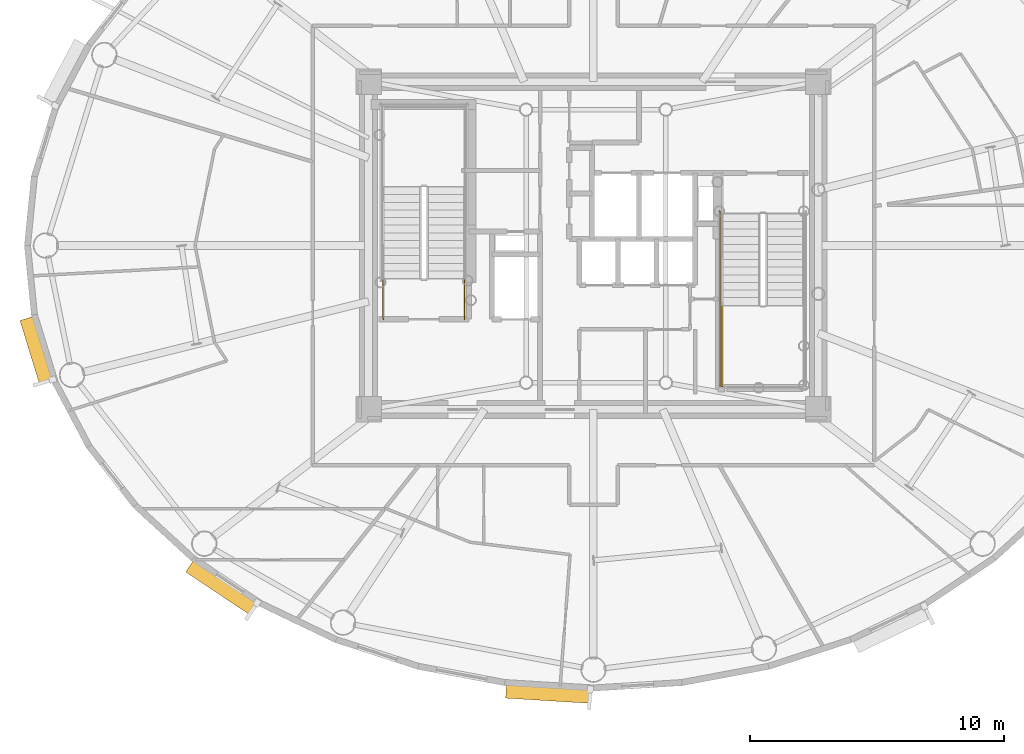
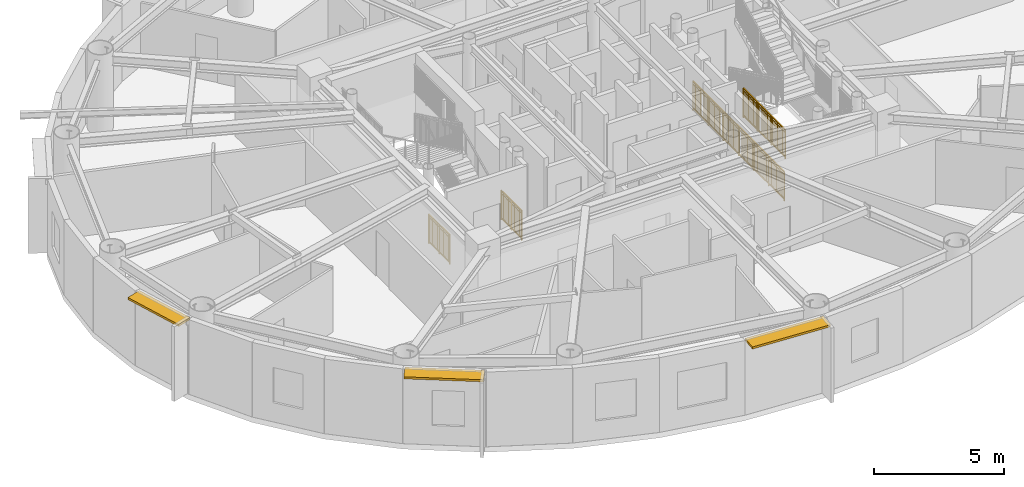
# One storey, part 12 of 18: 4 railings, 3 shading devices.
"""IFC4 building model written with IfcOpenShell, lengths in metres."""

from ifc_helpers import new_model, si_unit, direction, frame, origin, origin_2d, place, context, subcontext, project, spatial, rectangle, extrude, source, transform, mapped, material, layer, layer_set, type_object, element, save


model = new_model("IFC4")

# Units and contexts
model_context = context("Model", 3, precision=1e-05, world=origin(), true_north=direction((0.0, 1.0)))
body_context = subcontext(model_context, "Body", "Model", "MODEL_VIEW")
ifc_project = project(units=[si_unit("LENGTHUNIT", "METRE"), si_unit("AREAUNIT", "SQUARE_METRE"), si_unit("VOLUMEUNIT", "CUBIC_METRE"), si_unit("PLANEANGLEUNIT", "RADIAN"), si_unit("MASSUNIT", "GRAM", prefix="KILO")], contexts=[model_context])

# Site, building, storey
site_placement = place(None, origin())
site = spatial("IfcSite", under=ifc_project, at=site_placement, CompositionType="ELEMENT")
building_placement = place(site_placement, origin())
building = spatial("IfcBuilding", under=site, at=building_placement, Name="Linh Dai School and Residence Tower", CompositionType="ELEMENT")
storey_placement = place(building_placement, frame((0.0, 0.0, 273.0)))
storey = spatial("IfcBuildingStorey", under=building, at=storey_placement, Name="L67", CompositionType="ELEMENT", Elevation=273.0)

# Shading devices
ifc_material_1 = material(Name="Terracotta Ceramic Sunshade", Category="masonry")
ifc_layer = layer(ifc_material_1, 0.10009765625)
ifc_layer_set = layer_set([ifc_layer], Name="Terracotta Ceramic Sunshade")
shading_device_type = type_object("IfcShadingDeviceType", Name="SHD-TC-650", PredefinedType="USERDEFINED", material=ifc_layer_set)
shared_shape_1 = source(origin(), body_context, "Body", "SweptSolid", [
    extrude(rectangle(XDim=2.6640625, YDim=0.64990234375, at=origin_2d()), origin(), (0.0, 0.0, 1.0), 0.10009765625),
])
shading_device_1_placement = place(storey_placement, frame((14.132568359375, 22.870849609375, 3.3798828125), z_axis=(0.0, 0.0, 1.0), x_axis=(-0.293140945944, 0.956069236934, 0.0)))
element("IfcShadingDevice", 1, at=shading_device_1_placement, inside=storey, type_object=shading_device_type, Name="L67 Terracotta Horizontal Sunshade Band 22", ObjectType="SUNSHADE", PredefinedType="USERDEFINED", context=body_context, shape_type="MappedRepresentation", body=[
    mapped(shared_shape_1, transform((0.0, 0.0, 0.0), x_axis=(1.0, 0.0, 0.0), y_axis=(0.0, 1.0, 0.0), z_axis=(0.0, 0.0, 1.0), scale=1.0)),
])
shared_shape_2 = source(origin(), body_context, "Body", "SweptSolid", [
    extrude(rectangle(XDim=3.069091796875, YDim=0.64990234375, at=origin_2d()), origin(), (0.0, 0.0, 1.0), 0.10009765625),
])
shading_device_2_placement = place(storey_placement, frame((21.408203125, 13.5703125, 3.3798828125), z_axis=(0.0, 0.0, 1.0), x_axis=(-0.831245318631, 0.555905765624, 0.0)))
element("IfcShadingDevice", 2, at=shading_device_2_placement, inside=storey, type_object=shading_device_type, Name="L67 Terracotta Horizontal Sunshade Band 26", ObjectType="SUNSHADE", PredefinedType="USERDEFINED", context=body_context, shape_type="MappedRepresentation", body=[
    mapped(shared_shape_2, transform((0.0, 0.0, 0.0), x_axis=(1.0, 0.0, 0.0), y_axis=(0.0, 1.0, 0.0), z_axis=(0.0, 0.0, 1.0), scale=1.0)),
])
shared_shape_3 = source(origin(), body_context, "Body", "SweptSolid", [
    extrude(rectangle(XDim=3.355712890625, YDim=0.64990234375, at=origin_2d()), origin(), (0.0, 0.0, 1.0), 0.10009765625),
])
shading_device_3_placement = place(storey_placement, frame((34.238037109375, 9.407958984375, 3.3798828125), z_axis=(0.0, 0.0, 1.0), x_axis=(-0.998106469364, 0.061509965157, 0.0)))
element("IfcShadingDevice", 3, at=shading_device_3_placement, inside=storey, type_object=shading_device_type, Name="L67 Terracotta Horizontal Sunshade Band 30", ObjectType="SUNSHADE", PredefinedType="USERDEFINED", context=body_context, shape_type="MappedRepresentation", body=[
    mapped(shared_shape_3, transform((0.0, 0.0, 0.0), x_axis=(1.0, 0.0, 0.0), y_axis=(0.0, 1.0, 0.0), z_axis=(0.0, 0.0, 1.0), scale=1.0)),
])

# Railings
ifc_material_2 = material(Name="Structural Steel S355JR", Category="steel")
railing_type = type_object("IfcRailingType", Name="RL-ST-GUARD-1400", PredefinedType="GUARDRAIL", material=ifc_material_2)
shared_shape_4 = source(origin(), body_context, "Body", "SweptSolid", [
    extrude(rectangle(XDim=0.048095703125, YDim=0.048095703125, at=origin_2d()), frame((0.0, 0.0, 1.3759765625), z_axis=(0.0, 1.0, 0.0), x_axis=(-1.0, 0.0, 0.0)), (0.0, 0.0, 1.0), 1.599853515625),
    extrude(rectangle(XDim=0.048095703125, YDim=0.048095703125, at=origin_2d()), frame((0.0, 0.0, 0.10009765625), z_axis=(0.0, 1.0, 0.0), x_axis=(-1.0, 0.0, 0.0)), (0.0, 0.0, 1.0), 1.599853515625),
    extrude(rectangle(XDim=0.030029296875, YDim=0.030029296875, at=origin_2d()), frame((0.0, 0.0, 1.239990234375), z_axis=(0.0, 1.0, 0.0), x_axis=(-1.0, 0.0, 0.0)), (0.0, 0.0, 1.0), 1.599853515625),
    extrude(rectangle(XDim=0.02001953125, YDim=0.02001953125, at=origin_2d()), frame((0.0, 0.093994140625, 0.10009765625)), (0.0, 0.0, 1.0), 1.251708984375),
    extrude(rectangle(XDim=0.02001953125, YDim=0.02001953125, at=origin_2d()), frame((0.0, 0.188232421875, 0.10009765625)), (0.0, 0.0, 1.0), 1.251708984375),
    extrude(rectangle(XDim=0.02001953125, YDim=0.02001953125, at=origin_2d()), frame((0.0, 0.2822265625, 0.10009765625)), (0.0, 0.0, 1.0), 1.251708984375),
    extrude(rectangle(XDim=0.02001953125, YDim=0.02001953125, at=origin_2d()), frame((0.0, 0.37646484375, 0.10009765625)), (0.0, 0.0, 1.0), 1.251708984375),
    extrude(rectangle(XDim=0.02001953125, YDim=0.02001953125, at=origin_2d()), frame((0.0, 0.470458984375, 0.10009765625)), (0.0, 0.0, 1.0), 1.251708984375),
    extrude(rectangle(XDim=0.02001953125, YDim=0.02001953125, at=origin_2d()), frame((0.0, 0.564697265625, 0.10009765625)), (0.0, 0.0, 1.0), 1.251708984375),
    extrude(rectangle(XDim=0.02001953125, YDim=0.02001953125, at=origin_2d()), frame((0.0, 0.65869140625, 0.10009765625)), (0.0, 0.0, 1.0), 1.251708984375),
    extrude(rectangle(XDim=0.02001953125, YDim=0.02001953125, at=origin_2d()), frame((0.0, 0.7529296875, 0.10009765625)), (0.0, 0.0, 1.0), 1.251708984375),
    extrude(rectangle(XDim=0.02001953125, YDim=0.02001953125, at=origin_2d()), frame((0.0, 0.846923828125, 0.10009765625)), (0.0, 0.0, 1.0), 1.251708984375),
    extrude(rectangle(XDim=0.02001953125, YDim=0.02001953125, at=origin_2d()), frame((0.0, 0.941162109375, 0.10009765625)), (0.0, 0.0, 1.0), 1.251708984375),
    extrude(rectangle(XDim=0.02001953125, YDim=0.02001953125, at=origin_2d()), frame((0.0, 1.03515625, 0.10009765625)), (0.0, 0.0, 1.0), 1.251708984375),
    extrude(rectangle(XDim=0.02001953125, YDim=0.02001953125, at=origin_2d()), frame((0.0, 1.12939453125, 0.10009765625)), (0.0, 0.0, 1.0), 1.251708984375),
    extrude(rectangle(XDim=0.02001953125, YDim=0.02001953125, at=origin_2d()), frame((0.0, 1.223388671875, 0.10009765625)), (0.0, 0.0, 1.0), 1.251708984375),
    extrude(rectangle(XDim=0.02001953125, YDim=0.02001953125, at=origin_2d()), frame((0.0, 1.317626953125, 0.10009765625)), (0.0, 0.0, 1.0), 1.251708984375),
    extrude(rectangle(XDim=0.02001953125, YDim=0.02001953125, at=origin_2d()), frame((0.0, 1.41162109375, 0.10009765625)), (0.0, 0.0, 1.0), 1.251708984375),
    extrude(rectangle(XDim=0.02001953125, YDim=0.02001953125, at=origin_2d()), frame((0.0, 1.505859375, 0.10009765625)), (0.0, 0.0, 1.0), 1.251708984375),
    extrude(rectangle(XDim=0.0419921875, YDim=0.0419921875, at=origin_2d()), origin(), (0.0, 0.0, 1.0), 1.3759765625),
    extrude(rectangle(XDim=0.0419921875, YDim=0.0419921875, at=origin_2d()), frame((0.0, 0.7998046875, 0.0)), (0.0, 0.0, 1.0), 1.3759765625),
    extrude(rectangle(XDim=0.0419921875, YDim=0.0419921875, at=origin_2d()), frame((0.0, 1.599853515625, 0.0)), (0.0, 0.0, 1.0), 1.3759765625),
])
for number, where, name in (
    (4, (30.929931640625, 24.10009765625, 0.0), "L67 ST1 stair guard 8"),
    (5, (27.72998046875, 24.10009765625, 0.0), "L67 ST1 stair guard 9"),
):
    element("IfcRailing", number, at=place(storey_placement, frame(where)), inside=storey, type_object=railing_type, Name=name, PredefinedType="GUARDRAIL", context=body_context, shape_type="MappedRepresentation", body=[
        mapped(shared_shape_4, transform((0.0, 0.0, 0.0), x_axis=(1.0, 0.0, 0.0), y_axis=(0.0, 1.0, 0.0), z_axis=(0.0, 0.0, 1.0), scale=1.0)),
    ])
shared_shape_5 = source(origin(), body_context, "Body", "SweptSolid", [
    extrude(rectangle(XDim=0.048095703125, YDim=0.048095703125, at=origin_2d()), frame((0.0, 0.0, 1.3759765625), z_axis=(0.0, -1.0, 0.0), x_axis=(1.0, 0.0, 0.0)), (0.0, 0.0, 1.0), 7.0),
    extrude(rectangle(XDim=0.048095703125, YDim=0.048095703125, at=origin_2d()), frame((0.0, 0.0, 0.10009765625), z_axis=(0.0, -1.0, 0.0), x_axis=(1.0, 0.0, 0.0)), (0.0, 0.0, 1.0), 7.0),
    extrude(rectangle(XDim=0.030029296875, YDim=0.030029296875, at=origin_2d()), frame((0.0, 0.0, 1.239990234375), z_axis=(0.0, -1.0, 0.0), x_axis=(1.0, 0.0, 0.0)), (0.0, 0.0, 1.0), 7.0),
    extrude(rectangle(XDim=0.02001953125, YDim=0.02001953125, at=origin_2d()), frame((0.0, -0.09716796875, 0.10009765625)), (0.0, 0.0, 1.0), 1.251708984375),
    extrude(rectangle(XDim=0.02001953125, YDim=0.02001953125, at=origin_2d()), frame((0.0, -0.1943359375, 0.10009765625)), (0.0, 0.0, 1.0), 1.251708984375),
    extrude(rectangle(XDim=0.02001953125, YDim=0.02001953125, at=origin_2d()), frame((0.0, -0.291748046875, 0.10009765625)), (0.0, 0.0, 1.0), 1.251708984375),
    extrude(rectangle(XDim=0.02001953125, YDim=0.02001953125, at=origin_2d()), frame((0.0, -0.388916015625, 0.10009765625)), (0.0, 0.0, 1.0), 1.251708984375),
    extrude(rectangle(XDim=0.02001953125, YDim=0.02001953125, at=origin_2d()), frame((0.0, -0.486083984375, 0.10009765625)), (0.0, 0.0, 1.0), 1.251708984375),
    extrude(rectangle(XDim=0.02001953125, YDim=0.02001953125, at=origin_2d()), frame((0.0, -0.583251953125, 0.10009765625)), (0.0, 0.0, 1.0), 1.251708984375),
    extrude(rectangle(XDim=0.02001953125, YDim=0.02001953125, at=origin_2d()), frame((0.0, -0.6806640625, 0.10009765625)), (0.0, 0.0, 1.0), 1.251708984375),
    extrude(rectangle(XDim=0.02001953125, YDim=0.02001953125, at=origin_2d()), frame((0.0, -0.77783203125, 0.10009765625)), (0.0, 0.0, 1.0), 1.251708984375),
    extrude(rectangle(XDim=0.02001953125, YDim=0.02001953125, at=origin_2d()), frame((0.0, -0.875, 0.10009765625)), (0.0, 0.0, 1.0), 1.251708984375),
    extrude(rectangle(XDim=0.02001953125, YDim=0.02001953125, at=origin_2d()), frame((0.0, -0.97216796875, 0.10009765625)), (0.0, 0.0, 1.0), 1.251708984375),
    extrude(rectangle(XDim=0.02001953125, YDim=0.02001953125, at=origin_2d()), frame((0.0, -1.0693359375, 0.10009765625)), (0.0, 0.0, 1.0), 1.251708984375),
    extrude(rectangle(XDim=0.02001953125, YDim=0.02001953125, at=origin_2d()), frame((0.0, -1.263916015625, 0.10009765625)), (0.0, 0.0, 1.0), 1.251708984375),
    extrude(rectangle(XDim=0.02001953125, YDim=0.02001953125, at=origin_2d()), frame((0.0, -1.361083984375, 0.10009765625)), (0.0, 0.0, 1.0), 1.251708984375),
    extrude(rectangle(XDim=0.02001953125, YDim=0.02001953125, at=origin_2d()), frame((0.0, -1.458251953125, 0.10009765625)), (0.0, 0.0, 1.0), 1.251708984375),
    extrude(rectangle(XDim=0.02001953125, YDim=0.02001953125, at=origin_2d()), frame((0.0, -1.5556640625, 0.10009765625)), (0.0, 0.0, 1.0), 1.251708984375),
    extrude(rectangle(XDim=0.02001953125, YDim=0.02001953125, at=origin_2d()), frame((0.0, -1.65283203125, 0.10009765625)), (0.0, 0.0, 1.0), 1.251708984375),
    extrude(rectangle(XDim=0.02001953125, YDim=0.02001953125, at=origin_2d()), frame((0.0, -1.75, 0.10009765625)), (0.0, 0.0, 1.0), 1.251708984375),
    extrude(rectangle(XDim=0.02001953125, YDim=0.02001953125, at=origin_2d()), frame((0.0, -1.84716796875, 0.10009765625)), (0.0, 0.0, 1.0), 1.251708984375),
    extrude(rectangle(XDim=0.02001953125, YDim=0.02001953125, at=origin_2d()), frame((0.0, -1.9443359375, 0.10009765625)), (0.0, 0.0, 1.0), 1.251708984375),
    extrude(rectangle(XDim=0.02001953125, YDim=0.02001953125, at=origin_2d()), frame((0.0, -2.041748046875, 0.10009765625)), (0.0, 0.0, 1.0), 1.251708984375),
    extrude(rectangle(XDim=0.02001953125, YDim=0.02001953125, at=origin_2d()), frame((0.0, -2.138916015625, 0.10009765625)), (0.0, 0.0, 1.0), 1.251708984375),
    extrude(rectangle(XDim=0.02001953125, YDim=0.02001953125, at=origin_2d()), frame((0.0, -2.236083984375, 0.10009765625)), (0.0, 0.0, 1.0), 1.251708984375),
    extrude(rectangle(XDim=0.02001953125, YDim=0.02001953125, at=origin_2d()), frame((0.0, -2.4306640625, 0.10009765625)), (0.0, 0.0, 1.0), 1.251708984375),
    extrude(rectangle(XDim=0.02001953125, YDim=0.02001953125, at=origin_2d()), frame((0.0, -2.52783203125, 0.10009765625)), (0.0, 0.0, 1.0), 1.251708984375),
    extrude(rectangle(XDim=0.02001953125, YDim=0.02001953125, at=origin_2d()), frame((0.0, -2.625, 0.10009765625)), (0.0, 0.0, 1.0), 1.251708984375),
    extrude(rectangle(XDim=0.02001953125, YDim=0.02001953125, at=origin_2d()), frame((0.0, -2.72216796875, 0.10009765625)), (0.0, 0.0, 1.0), 1.251708984375),
    extrude(rectangle(XDim=0.02001953125, YDim=0.02001953125, at=origin_2d()), frame((0.0, -2.8193359375, 0.10009765625)), (0.0, 0.0, 1.0), 1.251708984375),
    extrude(rectangle(XDim=0.02001953125, YDim=0.02001953125, at=origin_2d()), frame((0.0, -2.916748046875, 0.10009765625)), (0.0, 0.0, 1.0), 1.251708984375),
    extrude(rectangle(XDim=0.02001953125, YDim=0.02001953125, at=origin_2d()), frame((0.0, -3.013916015625, 0.10009765625)), (0.0, 0.0, 1.0), 1.251708984375),
    extrude(rectangle(XDim=0.02001953125, YDim=0.02001953125, at=origin_2d()), frame((0.0, -3.111083984375, 0.10009765625)), (0.0, 0.0, 1.0), 1.251708984375),
    extrude(rectangle(XDim=0.02001953125, YDim=0.02001953125, at=origin_2d()), frame((0.0, -3.208251953125, 0.10009765625)), (0.0, 0.0, 1.0), 1.251708984375),
    extrude(rectangle(XDim=0.02001953125, YDim=0.02001953125, at=origin_2d()), frame((0.0, -3.3056640625, 0.10009765625)), (0.0, 0.0, 1.0), 1.251708984375),
    extrude(rectangle(XDim=0.02001953125, YDim=0.02001953125, at=origin_2d()), frame((0.0, -3.40283203125, 0.10009765625)), (0.0, 0.0, 1.0), 1.251708984375),
    extrude(rectangle(XDim=0.02001953125, YDim=0.02001953125, at=origin_2d()), frame((0.0, -3.59716796875, 0.10009765625)), (0.0, 0.0, 1.0), 1.251708984375),
    extrude(rectangle(XDim=0.02001953125, YDim=0.02001953125, at=origin_2d()), frame((0.0, -3.6943359375, 0.10009765625)), (0.0, 0.0, 1.0), 1.251708984375),
    extrude(rectangle(XDim=0.02001953125, YDim=0.02001953125, at=origin_2d()), frame((0.0, -3.791748046875, 0.10009765625)), (0.0, 0.0, 1.0), 1.251708984375),
    extrude(rectangle(XDim=0.02001953125, YDim=0.02001953125, at=origin_2d()), frame((0.0, -3.888916015625, 0.10009765625)), (0.0, 0.0, 1.0), 1.251708984375),
    extrude(rectangle(XDim=0.02001953125, YDim=0.02001953125, at=origin_2d()), frame((0.0, -3.986083984375, 0.10009765625)), (0.0, 0.0, 1.0), 1.251708984375),
    extrude(rectangle(XDim=0.02001953125, YDim=0.02001953125, at=origin_2d()), frame((0.0, -4.083251953125, 0.10009765625)), (0.0, 0.0, 1.0), 1.251708984375),
    extrude(rectangle(XDim=0.02001953125, YDim=0.02001953125, at=origin_2d()), frame((0.0, -4.1806640625, 0.10009765625)), (0.0, 0.0, 1.0), 1.251708984375),
    extrude(rectangle(XDim=0.02001953125, YDim=0.02001953125, at=origin_2d()), frame((0.0, -4.27783203125, 0.10009765625)), (0.0, 0.0, 1.0), 1.251708984375),
    extrude(rectangle(XDim=0.02001953125, YDim=0.02001953125, at=origin_2d()), frame((0.0, -4.375, 0.10009765625)), (0.0, 0.0, 1.0), 1.251708984375),
    extrude(rectangle(XDim=0.02001953125, YDim=0.02001953125, at=origin_2d()), frame((0.0, -4.47216796875, 0.10009765625)), (0.0, 0.0, 1.0), 1.251708984375),
    extrude(rectangle(XDim=0.02001953125, YDim=0.02001953125, at=origin_2d()), frame((0.0, -4.5693359375, 0.10009765625)), (0.0, 0.0, 1.0), 1.251708984375),
    extrude(rectangle(XDim=0.02001953125, YDim=0.02001953125, at=origin_2d()), frame((0.0, -4.763916015625, 0.10009765625)), (0.0, 0.0, 1.0), 1.251708984375),
    extrude(rectangle(XDim=0.02001953125, YDim=0.02001953125, at=origin_2d()), frame((0.0, -4.861083984375, 0.10009765625)), (0.0, 0.0, 1.0), 1.251708984375),
    extrude(rectangle(XDim=0.02001953125, YDim=0.02001953125, at=origin_2d()), frame((0.0, -4.958251953125, 0.10009765625)), (0.0, 0.0, 1.0), 1.251708984375),
    extrude(rectangle(XDim=0.02001953125, YDim=0.02001953125, at=origin_2d()), frame((0.0, -5.0556640625, 0.10009765625)), (0.0, 0.0, 1.0), 1.251708984375),
    extrude(rectangle(XDim=0.02001953125, YDim=0.02001953125, at=origin_2d()), frame((0.0, -5.15283203125, 0.10009765625)), (0.0, 0.0, 1.0), 1.251708984375),
    extrude(rectangle(XDim=0.02001953125, YDim=0.02001953125, at=origin_2d()), frame((0.0, -5.25, 0.10009765625)), (0.0, 0.0, 1.0), 1.251708984375),
    extrude(rectangle(XDim=0.02001953125, YDim=0.02001953125, at=origin_2d()), frame((0.0, -5.34716796875, 0.10009765625)), (0.0, 0.0, 1.0), 1.251708984375),
    extrude(rectangle(XDim=0.02001953125, YDim=0.02001953125, at=origin_2d()), frame((0.0, -5.4443359375, 0.10009765625)), (0.0, 0.0, 1.0), 1.251708984375),
    extrude(rectangle(XDim=0.02001953125, YDim=0.02001953125, at=origin_2d()), frame((0.0, -5.541748046875, 0.10009765625)), (0.0, 0.0, 1.0), 1.251708984375),
    extrude(rectangle(XDim=0.02001953125, YDim=0.02001953125, at=origin_2d()), frame((0.0, -5.638916015625, 0.10009765625)), (0.0, 0.0, 1.0), 1.251708984375),
    extrude(rectangle(XDim=0.02001953125, YDim=0.02001953125, at=origin_2d()), frame((0.0, -5.736083984375, 0.10009765625)), (0.0, 0.0, 1.0), 1.251708984375),
    extrude(rectangle(XDim=0.02001953125, YDim=0.02001953125, at=origin_2d()), frame((0.0, -5.9306640625, 0.10009765625)), (0.0, 0.0, 1.0), 1.251708984375),
    extrude(rectangle(XDim=0.02001953125, YDim=0.02001953125, at=origin_2d()), frame((0.0, -6.02783203125, 0.10009765625)), (0.0, 0.0, 1.0), 1.251708984375),
    extrude(rectangle(XDim=0.02001953125, YDim=0.02001953125, at=origin_2d()), frame((0.0, -6.125, 0.10009765625)), (0.0, 0.0, 1.0), 1.251708984375),
    extrude(rectangle(XDim=0.02001953125, YDim=0.02001953125, at=origin_2d()), frame((0.0, -6.22216796875, 0.10009765625)), (0.0, 0.0, 1.0), 1.251708984375),
    extrude(rectangle(XDim=0.02001953125, YDim=0.02001953125, at=origin_2d()), frame((0.0, -6.3193359375, 0.10009765625)), (0.0, 0.0, 1.0), 1.251708984375),
    extrude(rectangle(XDim=0.02001953125, YDim=0.02001953125, at=origin_2d()), frame((0.0, -6.416748046875, 0.10009765625)), (0.0, 0.0, 1.0), 1.251708984375),
    extrude(rectangle(XDim=0.02001953125, YDim=0.02001953125, at=origin_2d()), frame((0.0, -6.513916015625, 0.10009765625)), (0.0, 0.0, 1.0), 1.251708984375),
    extrude(rectangle(XDim=0.02001953125, YDim=0.02001953125, at=origin_2d()), frame((0.0, -6.611083984375, 0.10009765625)), (0.0, 0.0, 1.0), 1.251708984375),
    extrude(rectangle(XDim=0.02001953125, YDim=0.02001953125, at=origin_2d()), frame((0.0, -6.708251953125, 0.10009765625)), (0.0, 0.0, 1.0), 1.251708984375),
    extrude(rectangle(XDim=0.02001953125, YDim=0.02001953125, at=origin_2d()), frame((0.0, -6.8056640625, 0.10009765625)), (0.0, 0.0, 1.0), 1.251708984375),
    extrude(rectangle(XDim=0.02001953125, YDim=0.02001953125, at=origin_2d()), frame((0.0, -6.90283203125, 0.10009765625)), (0.0, 0.0, 1.0), 1.251708984375),
    extrude(rectangle(XDim=0.0419921875, YDim=0.0419921875, at=origin_2d()), origin(), (0.0, 0.0, 1.0), 1.3759765625),
    extrude(rectangle(XDim=0.0419921875, YDim=0.0419921875, at=origin_2d()), frame((0.0, -1.166748046875, 0.0)), (0.0, 0.0, 1.0), 1.3759765625),
    extrude(rectangle(XDim=0.0419921875, YDim=0.0419921875, at=origin_2d()), frame((0.0, -2.333251953125, 0.0)), (0.0, 0.0, 1.0), 1.3759765625),
    extrude(rectangle(XDim=0.0419921875, YDim=0.0419921875, at=origin_2d()), frame((0.0, -3.5, 0.0)), (0.0, 0.0, 1.0), 1.3759765625),
    extrude(rectangle(XDim=0.0419921875, YDim=0.0419921875, at=origin_2d()), frame((0.0, -4.666748046875, 0.0)), (0.0, 0.0, 1.0), 1.3759765625),
    extrude(rectangle(XDim=0.0419921875, YDim=0.0419921875, at=origin_2d()), frame((0.0, -5.833251953125, 0.0)), (0.0, 0.0, 1.0), 1.3759765625),
    extrude(rectangle(XDim=0.0419921875, YDim=0.0419921875, at=origin_2d()), frame((0.0, -7.0, 0.0)), (0.0, 0.0, 1.0), 1.3759765625),
])
railing_1_placement = place(storey_placement, frame((40.969970703125, 28.35009765625, 0.0)))
element("IfcRailing", 6, at=railing_1_placement, inside=storey, type_object=railing_type, Name="L67 ST2 stair guard 10", PredefinedType="GUARDRAIL", context=body_context, shape_type="MappedRepresentation", body=[
    mapped(shared_shape_5, transform((0.0, 0.0, 0.0), x_axis=(1.0, 0.0, 0.0), y_axis=(0.0, 1.0, 0.0), z_axis=(0.0, 0.0, 1.0), scale=1.0)),
])
shared_shape_6 = source(origin(), body_context, "Body", "SweptSolid", [
    extrude(rectangle(XDim=0.048095703125, YDim=0.048095703125, at=origin_2d()), frame((0.0, 0.0, 1.3759765625), z_axis=(0.0, -1.0, 0.0), x_axis=(1.0, 0.0, 0.0)), (0.0, 0.0, 1.0), 3.199951171875),
    extrude(rectangle(XDim=0.048095703125, YDim=0.048095703125, at=origin_2d()), frame((0.0, 0.0, 0.10009765625), z_axis=(0.0, -1.0, 0.0), x_axis=(1.0, 0.0, 0.0)), (0.0, 0.0, 1.0), 3.199951171875),
    extrude(rectangle(XDim=0.030029296875, YDim=0.030029296875, at=origin_2d()), frame((0.0, 0.0, 1.239990234375), z_axis=(0.0, -1.0, 0.0), x_axis=(1.0, 0.0, 0.0)), (0.0, 0.0, 1.0), 3.199951171875),
    extrude(rectangle(XDim=0.02001953125, YDim=0.02001953125, at=origin_2d()), frame((0.0, -0.096923828125, 0.10009765625)), (0.0, 0.0, 1.0), 1.251708984375),
    extrude(rectangle(XDim=0.02001953125, YDim=0.02001953125, at=origin_2d()), frame((0.0, -0.19384765625, 0.10009765625)), (0.0, 0.0, 1.0), 1.251708984375),
    extrude(rectangle(XDim=0.02001953125, YDim=0.02001953125, at=origin_2d()), frame((0.0, -0.291015625, 0.10009765625)), (0.0, 0.0, 1.0), 1.251708984375),
    extrude(rectangle(XDim=0.02001953125, YDim=0.02001953125, at=origin_2d()), frame((0.0, -0.387939453125, 0.10009765625)), (0.0, 0.0, 1.0), 1.251708984375),
    extrude(rectangle(XDim=0.02001953125, YDim=0.02001953125, at=origin_2d()), frame((0.0, -0.48486328125, 0.10009765625)), (0.0, 0.0, 1.0), 1.251708984375),
    extrude(rectangle(XDim=0.02001953125, YDim=0.02001953125, at=origin_2d()), frame((0.0, -0.581787109375, 0.10009765625)), (0.0, 0.0, 1.0), 1.251708984375),
    extrude(rectangle(XDim=0.02001953125, YDim=0.02001953125, at=origin_2d()), frame((0.0, -0.6787109375, 0.10009765625)), (0.0, 0.0, 1.0), 1.251708984375),
    extrude(rectangle(XDim=0.02001953125, YDim=0.02001953125, at=origin_2d()), frame((0.0, -0.775634765625, 0.10009765625)), (0.0, 0.0, 1.0), 1.251708984375),
    extrude(rectangle(XDim=0.02001953125, YDim=0.02001953125, at=origin_2d()), frame((0.0, -0.872802734375, 0.10009765625)), (0.0, 0.0, 1.0), 1.251708984375),
    extrude(rectangle(XDim=0.02001953125, YDim=0.02001953125, at=origin_2d()), frame((0.0, -0.9697265625, 0.10009765625)), (0.0, 0.0, 1.0), 1.251708984375),
    extrude(rectangle(XDim=0.02001953125, YDim=0.02001953125, at=origin_2d()), frame((0.0, -1.16357421875, 0.10009765625)), (0.0, 0.0, 1.0), 1.251708984375),
    extrude(rectangle(XDim=0.02001953125, YDim=0.02001953125, at=origin_2d()), frame((0.0, -1.260498046875, 0.10009765625)), (0.0, 0.0, 1.0), 1.251708984375),
    extrude(rectangle(XDim=0.02001953125, YDim=0.02001953125, at=origin_2d()), frame((0.0, -1.357666015625, 0.10009765625)), (0.0, 0.0, 1.0), 1.251708984375),
    extrude(rectangle(XDim=0.02001953125, YDim=0.02001953125, at=origin_2d()), frame((0.0, -1.45458984375, 0.10009765625)), (0.0, 0.0, 1.0), 1.251708984375),
    extrude(rectangle(XDim=0.02001953125, YDim=0.02001953125, at=origin_2d()), frame((0.0, -1.551513671875, 0.10009765625)), (0.0, 0.0, 1.0), 1.251708984375),
    extrude(rectangle(XDim=0.02001953125, YDim=0.02001953125, at=origin_2d()), frame((0.0, -1.6484375, 0.10009765625)), (0.0, 0.0, 1.0), 1.251708984375),
    extrude(rectangle(XDim=0.02001953125, YDim=0.02001953125, at=origin_2d()), frame((0.0, -1.745361328125, 0.10009765625)), (0.0, 0.0, 1.0), 1.251708984375),
    extrude(rectangle(XDim=0.02001953125, YDim=0.02001953125, at=origin_2d()), frame((0.0, -1.84228515625, 0.10009765625)), (0.0, 0.0, 1.0), 1.251708984375),
    extrude(rectangle(XDim=0.02001953125, YDim=0.02001953125, at=origin_2d()), frame((0.0, -1.939453125, 0.10009765625)), (0.0, 0.0, 1.0), 1.251708984375),
    extrude(rectangle(XDim=0.02001953125, YDim=0.02001953125, at=origin_2d()), frame((0.0, -2.036376953125, 0.10009765625)), (0.0, 0.0, 1.0), 1.251708984375),
    extrude(rectangle(XDim=0.02001953125, YDim=0.02001953125, at=origin_2d()), frame((0.0, -2.230224609375, 0.10009765625)), (0.0, 0.0, 1.0), 1.251708984375),
    extrude(rectangle(XDim=0.02001953125, YDim=0.02001953125, at=origin_2d()), frame((0.0, -2.3271484375, 0.10009765625)), (0.0, 0.0, 1.0), 1.251708984375),
    extrude(rectangle(XDim=0.02001953125, YDim=0.02001953125, at=origin_2d()), frame((0.0, -2.42431640625, 0.10009765625)), (0.0, 0.0, 1.0), 1.251708984375),
    extrude(rectangle(XDim=0.02001953125, YDim=0.02001953125, at=origin_2d()), frame((0.0, -2.521240234375, 0.10009765625)), (0.0, 0.0, 1.0), 1.251708984375),
    extrude(rectangle(XDim=0.02001953125, YDim=0.02001953125, at=origin_2d()), frame((0.0, -2.6181640625, 0.10009765625)), (0.0, 0.0, 1.0), 1.251708984375),
    extrude(rectangle(XDim=0.02001953125, YDim=0.02001953125, at=origin_2d()), frame((0.0, -2.715087890625, 0.10009765625)), (0.0, 0.0, 1.0), 1.251708984375),
    extrude(rectangle(XDim=0.02001953125, YDim=0.02001953125, at=origin_2d()), frame((0.0, -2.81201171875, 0.10009765625)), (0.0, 0.0, 1.0), 1.251708984375),
    extrude(rectangle(XDim=0.02001953125, YDim=0.02001953125, at=origin_2d()), frame((0.0, -2.908935546875, 0.10009765625)), (0.0, 0.0, 1.0), 1.251708984375),
    extrude(rectangle(XDim=0.02001953125, YDim=0.02001953125, at=origin_2d()), frame((0.0, -3.006103515625, 0.10009765625)), (0.0, 0.0, 1.0), 1.251708984375),
    extrude(rectangle(XDim=0.02001953125, YDim=0.02001953125, at=origin_2d()), frame((0.0, -3.10302734375, 0.10009765625)), (0.0, 0.0, 1.0), 1.251708984375),
    extrude(rectangle(XDim=0.0419921875, YDim=0.0419921875, at=origin_2d()), origin(), (0.0, 0.0, 1.0), 1.3759765625),
    extrude(rectangle(XDim=0.0419921875, YDim=0.0419921875, at=origin_2d()), frame((0.0, -1.066650390625, 0.0)), (0.0, 0.0, 1.0), 1.3759765625),
    extrude(rectangle(XDim=0.0419921875, YDim=0.0419921875, at=origin_2d()), frame((0.0, -2.13330078125, 0.0)), (0.0, 0.0, 1.0), 1.3759765625),
    extrude(rectangle(XDim=0.0419921875, YDim=0.0419921875, at=origin_2d()), frame((0.0, -3.199951171875, 0.0)), (0.0, 0.0, 1.0), 1.3759765625),
])
railing_2_placement = place(storey_placement, frame((41.070068359375, 24.64990234375, 1.875)))
element("IfcRailing", 7, at=railing_2_placement, inside=storey, type_object=railing_type, Name="L67 ST2 stair guard 3", PredefinedType="GUARDRAIL", context=body_context, shape_type="MappedRepresentation", body=[
    mapped(shared_shape_6, transform((0.0, 0.0, 0.0), x_axis=(1.0, 0.0, 0.0), y_axis=(0.0, 1.0, 0.0), z_axis=(0.0, 0.0, 1.0), scale=1.0)),
])

save(model, "model.ifc")
